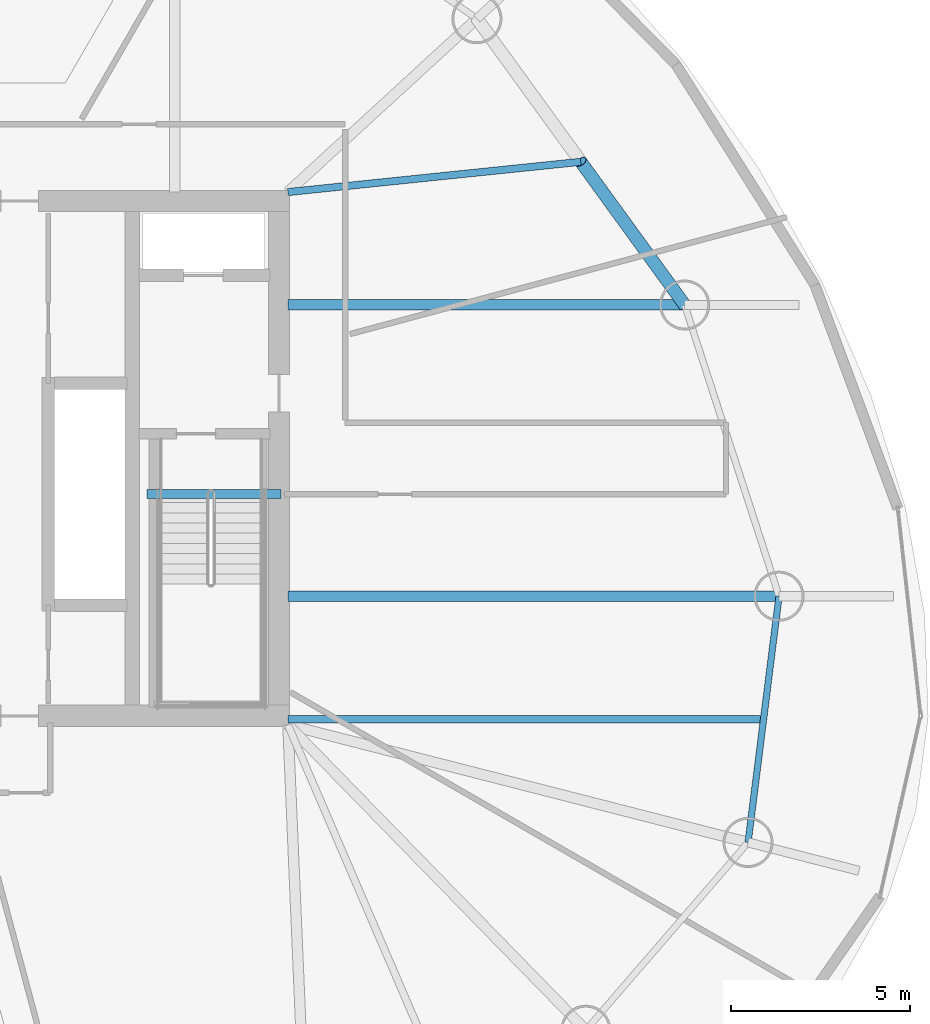
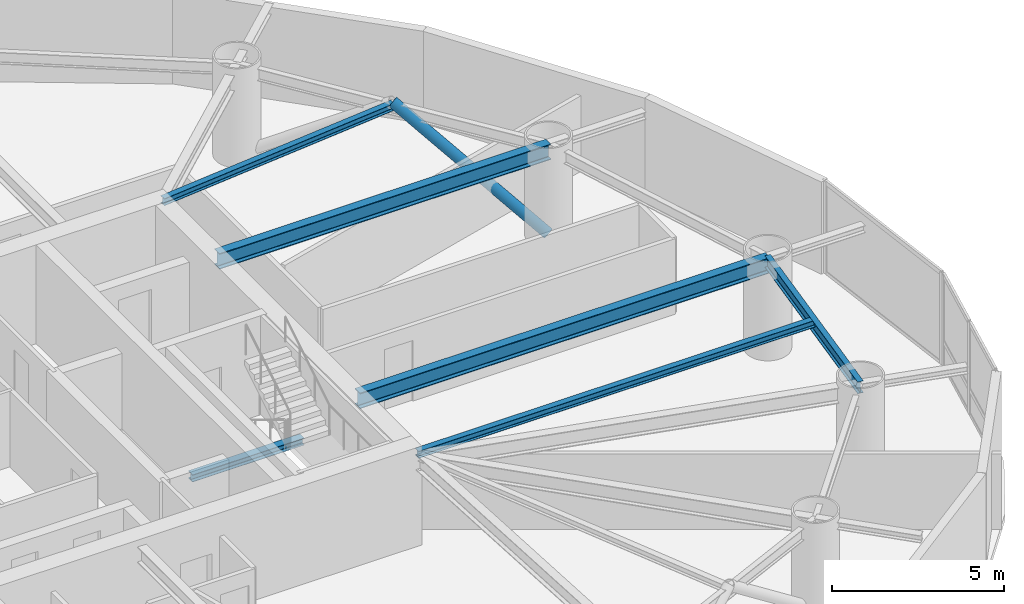
# One storey, part 9 of 22: 6 beams, 1 member.
"""IFC4 building model written with IfcOpenShell, lengths in metres."""

from ifc_helpers import new_model, si_unit, direction, frame, origin, origin_2d, place, context, subcontext, project, spatial, hollow_circle, i_section, extrude, material, material_profile, profile_set, type_object, element, save


model = new_model("IFC4")

# Units and contexts
model_context = context("Model", 3, precision=1e-05, world=origin(), true_north=direction((0.0, 1.0)))
body_context = subcontext(model_context, "Body", "Model", "MODEL_VIEW")
ifc_project = project(units=[si_unit("LENGTHUNIT", "METRE"), si_unit("AREAUNIT", "SQUARE_METRE"), si_unit("VOLUMEUNIT", "CUBIC_METRE"), si_unit("PLANEANGLEUNIT", "RADIAN"), si_unit("MASSUNIT", "GRAM", prefix="KILO")], contexts=[model_context])

# Site, building, storey
site_placement = place(None, origin())
site = spatial("IfcSite", under=ifc_project, at=site_placement, CompositionType="ELEMENT")
building_placement = place(site_placement, origin())
building = spatial("IfcBuilding", under=site, at=building_placement, Name="Bramvorn Convention Spire", CompositionType="ELEMENT")
storey_placement = place(building_placement, frame((0.0, 0.0, 127.300048828125)))
storey = spatial("IfcBuildingStorey", under=building, at=storey_placement, Name="L31", CompositionType="ELEMENT", Elevation=127.300048828125)

# Beams
ifc_material = material(Name="Steel CSA G40.21 Grade 350 (350W)", Category="steel")
ifc_material_profile_1 = material_profile(ifc_material, i_section(OverallWidth=0.201904296875, OverallDepth=0.2470703125, WebThickness=0.00732421875, FlangeThickness=0.010986328125, FilletRadius=0.011962890625, at=origin_2d()))
ifc_profile_set_1 = profile_set([ifc_material_profile_1], Name="Steel CSA G40.21 Grade 350 (350W) - W250X49")
beam_type_1 = type_object("IfcBeamType", Name="BM-W250X49", PredefinedType="JOIST", material=ifc_profile_set_1)
beam_1_placement = place(storey_placement, frame((49.25, 18.705078125, 3.136474609375), z_axis=(1.0, 0.0, 0.0), x_axis=(0.0, 1.0, 0.0)))
element("IfcBeam", 1, at=beam_1_placement, inside=storey, type_object=beam_type_1, Name="L31 composite floor joist 01", PredefinedType="JOIST", context=body_context, shape_type="SweptSolid", body=[
    extrude(i_section(OverallWidth=0.201904296875, OverallDepth=0.2470703125, WebThickness=0.00732421875, FlangeThickness=0.010986328125, FilletRadius=0.011962890625, at=origin_2d()), origin(), (0.0, 0.0, 1.0), 13.30078125),
])
beam_2_placement = place(storey_placement, frame((49.25, 33.449951171875, 3.136474609375), z_axis=(0.994705076194, 0.102770673804, 0.0), x_axis=(-0.102770673804, 0.994705076194, 0.0)))
element("IfcBeam", 2, at=beam_2_placement, inside=storey, type_object=beam_type_1, Name="L31 composite floor joist 03", PredefinedType="JOIST", context=body_context, shape_type="SweptSolid", body=[
    extrude(i_section(OverallWidth=0.201904296875, OverallDepth=0.2470703125, WebThickness=0.00732421875, FlangeThickness=0.010986328125, FilletRadius=0.011962890625, at=origin_2d()), origin(), (0.0, 0.0, 1.0), 8.23388671875),
])
ifc_material_profile_2 = material_profile(ifc_material, i_section(OverallWidth=0.25390625, OverallDepth=0.2529296875, WebThickness=0.008544921875, FlangeThickness=0.01416015625, FilletRadius=0.011962890625, at=origin_2d()))
ifc_profile_set_2 = profile_set([ifc_material_profile_2], Name="Steel CSA G40.21 Grade 350 (350W) - W250X73")
beam_type_2 = type_object("IfcBeamType", Name="BM-W250X73", PredefinedType="BEAM", material=ifc_profile_set_2)
beam_3_placement = place(storey_placement, frame((45.31005859375, 25.010009765625, -0.12646484375), z_axis=(1.0, 0.0, 0.0), x_axis=(0.0, 1.0, 0.0)))
element("IfcBeam", 3, at=beam_3_placement, inside=storey, type_object=beam_type_2, Name="L31 ST2 stair arrival header beam", PredefinedType="BEAM", context=body_context, shape_type="SweptSolid", body=[
    extrude(i_section(OverallWidth=0.25390625, OverallDepth=0.2529296875, WebThickness=0.008544921875, FlangeThickness=0.01416015625, FilletRadius=0.011962890625, at=origin_2d()), origin(), (0.0, 0.0, 1.0), 3.739990234375),
])
ifc_material_profile_3 = material_profile(ifc_material, i_section(OverallWidth=0.180908203125, OverallDepth=0.4169921875, WebThickness=0.010986328125, FlangeThickness=0.018310546875, FilletRadius=0.01611328125, at=origin_2d()))
ifc_profile_set_3 = profile_set([ifc_material_profile_3], Name="Steel CSA G40.21 Grade 350 (350W) - W410X85")
beam_type_3 = type_object("IfcBeamType", Name="BM-W410X85", PredefinedType="JOIST", material=ifc_profile_set_3)
beam_4_placement = place(storey_placement, frame((62.11767578125, 15.26220703125, 3.051513671875), z_axis=(0.124775053879, 0.992185056292, 0.0), x_axis=(-0.992185056292, 0.124775053879, 0.0)))
element("IfcBeam", 4, at=beam_4_placement, inside=storey, type_object=beam_type_3, Name="L31 mega-column ring beam 01", PredefinedType="JOIST", context=body_context, shape_type="SweptSolid", body=[
    extrude(i_section(OverallWidth=0.180908203125, OverallDepth=0.4169921875, WebThickness=0.010986328125, FlangeThickness=0.018310546875, FilletRadius=0.01611328125, at=origin_2d()), origin(), (0.0, 0.0, 1.0), 6.940185546875),
])
ifc_material_profile_4 = material_profile(ifc_material, i_section(OverallWidth=0.2919921875, OverallDepth=0.551025390625, WebThickness=0.01513671875, FlangeThickness=0.0244140625, FilletRadius=0.01904296875, at=origin_2d()))
ifc_profile_set_4 = profile_set([ifc_material_profile_4], Name="Steel CSA G40.21 Grade 350 (350W) - W530X182")
beam_type_4 = type_object("IfcBeamType", Name="BM-W530X182", PredefinedType="BEAM", material=ifc_profile_set_4)
beam_5_placement = place(storey_placement, frame((49.25, 22.148193359375, 2.984375), z_axis=(1.0, 0.0, 0.0), x_axis=(0.0, 1.0, 0.0)))
element("IfcBeam", 5, at=beam_5_placement, inside=storey, type_object=beam_type_4, Name="L31 radial floor girder MC02", PredefinedType="BEAM", context=body_context, shape_type="SweptSolid", body=[
    extrude(i_section(OverallWidth=0.2919921875, OverallDepth=0.551025390625, WebThickness=0.01513671875, FlangeThickness=0.0244140625, FilletRadius=0.01904296875, at=origin_2d()), origin(), (0.0, 0.0, 1.0), 13.733642578125),
])
beam_6_placement = place(storey_placement, frame((49.25, 30.293212890625, 2.984375), z_axis=(1.0, 0.0, 0.0), x_axis=(0.0, 1.0, 0.0)))
element("IfcBeam", 6, at=beam_6_placement, inside=storey, type_object=beam_type_4, Name="L31 radial floor girder MC03", PredefinedType="BEAM", context=body_context, shape_type="SweptSolid", body=[
    extrude(i_section(OverallWidth=0.2919921875, OverallDepth=0.551025390625, WebThickness=0.01513671875, FlangeThickness=0.0244140625, FilletRadius=0.01904296875, at=origin_2d()), origin(), (0.0, 0.0, 1.0), 11.095703125),
])

# Member
ifc_material_profile_5 = material_profile(ifc_material, hollow_circle(Radius=0.177734375, WallThickness=0.015869140625, at=origin_2d()))
ifc_profile_set_5 = profile_set([ifc_material_profile_5], Name="Steel CSA G40.21 Grade 350 (350W) - CHS356X16")
member_type = type_object("IfcMemberType", Name="MBR-CHS356X16", PredefinedType="BRACE", material=ifc_profile_set_5)
member_placement = place(storey_placement, frame((60.345703125, 30.293212890625, 0.0), z_axis=(-0.490469921938, 0.675720094118, 0.55031046699), x_axis=(-0.809284280508, -0.587417188481, 0.0)))
element("IfcMember", 7, at=member_placement, inside=storey, type_object=member_type, Name="L31 perimeter Gothic lancet brace 3A", PredefinedType="BRACE", context=body_context, shape_type="SweptSolid", body=[
    extrude(hollow_circle(Radius=0.177734375, WallThickness=0.015869140625, at=origin_2d()), origin(), (0.0, 0.0, 1.0), 5.923828125),
])

save(model, "model.ifc")
